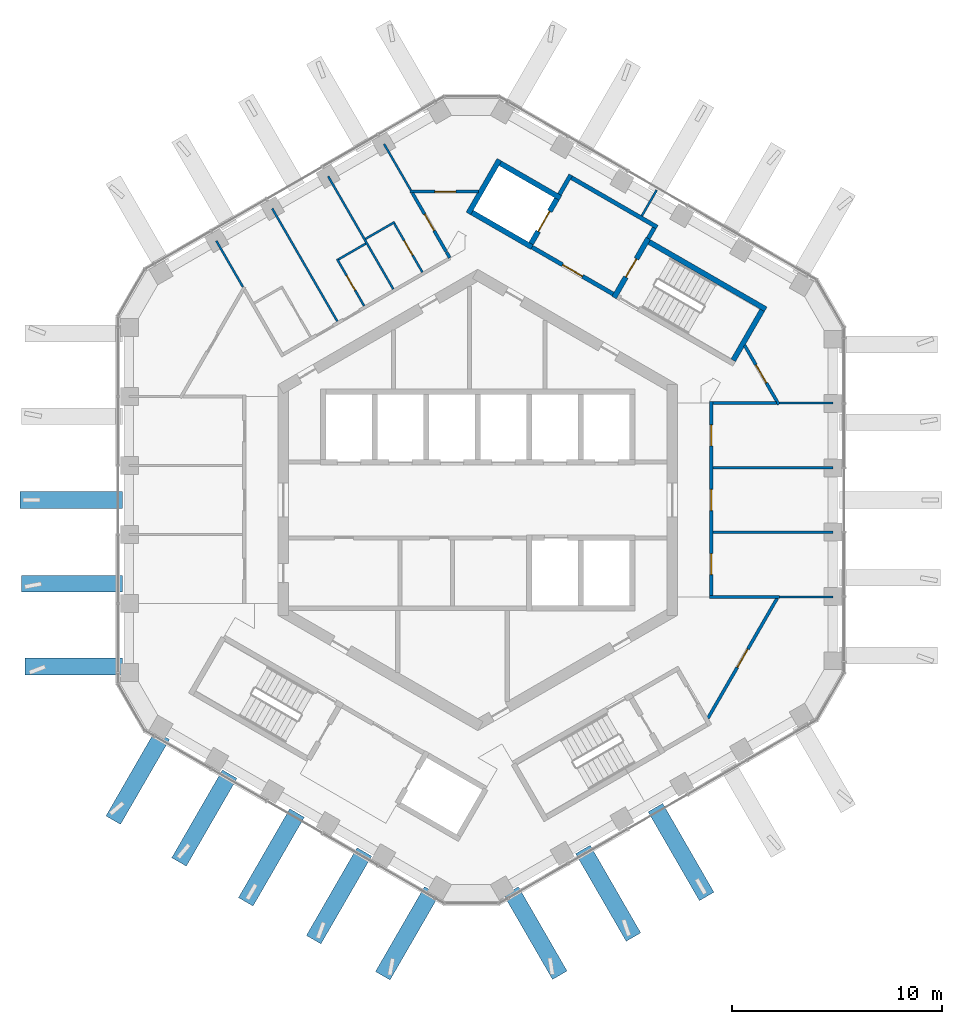
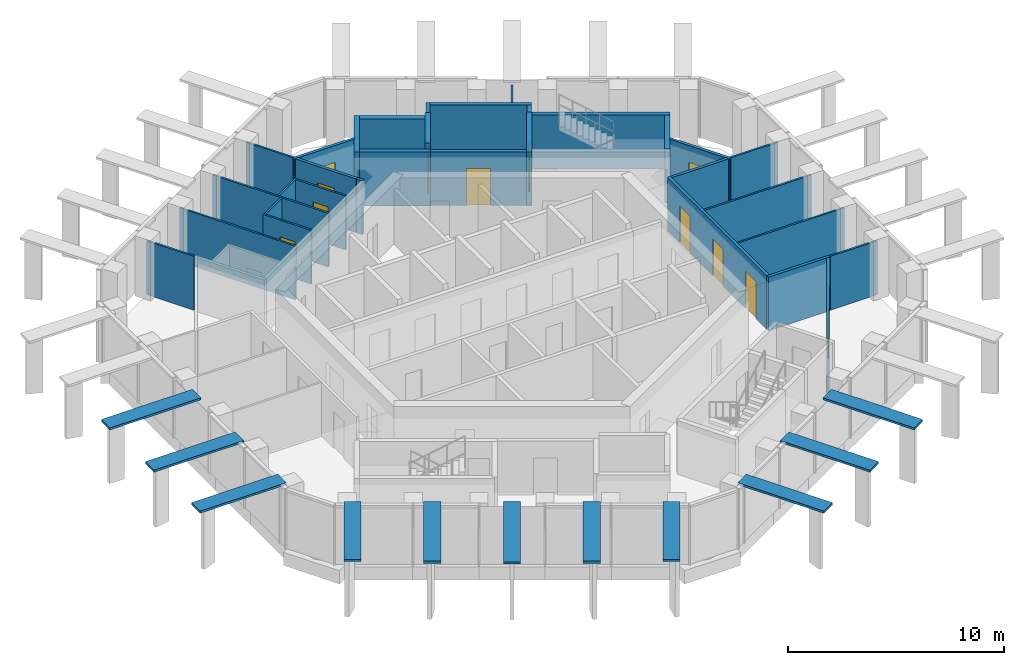
# One storey, part 13 of 19: 32 walls, 12 doors, 11 discrete accessories, 12 openings.
"""IFC4 building model written with IfcOpenShell, lengths in metres."""

from ifc_helpers import new_model, si_unit, direction, frame, frame_2d, origin, origin_2d, place, context, subcontext, project, spatial, rectangle, extrude, material, layer, layer_set, type_object, element, fill, save


model = new_model("IFC4")

# Units and contexts
model_context = context("Model", 3, precision=1e-05, world=origin(), true_north=direction((0.0, 1.0)))
body_context = subcontext(model_context, "Body", "Model", "MODEL_VIEW")
ifc_project = project(units=[si_unit("LENGTHUNIT", "METRE"), si_unit("AREAUNIT", "SQUARE_METRE"), si_unit("VOLUMEUNIT", "CUBIC_METRE"), si_unit("PLANEANGLEUNIT", "RADIAN"), si_unit("MASSUNIT", "GRAM", prefix="KILO")], contexts=[model_context])

# Site, building, storey
site_placement = place(None, origin())
site = spatial("IfcSite", under=ifc_project, at=site_placement, CompositionType="ELEMENT")
building_placement = place(site_placement, origin())
building = spatial("IfcBuilding", under=site, at=building_placement, Name="Ayvan Gate Tower", CompositionType="ELEMENT")
storey_placement = place(building_placement, frame((0.0, 0.0, 235.89990234375)))
storey = spatial("IfcBuildingStorey", under=building, at=storey_placement, Name="L63", CompositionType="ELEMENT", Elevation=235.89990234375)

# Wall, opening, door
ifc_material_1 = material(Name="Plasterboard on steel stud", Category="steel")
ifc_layer_1 = layer(ifc_material_1, 0.14990234375)
ifc_layer_set_1 = layer_set([ifc_layer_1], Name="Plasterboard on steel stud")
wall_type_1 = type_object("IfcWallType", Name="WT-CORR-150", PredefinedType="PARTITIONING", material=ifc_layer_set_1)
wall_1_placement = place(storey_placement, frame((-3.22412109375, 14.66455078125, 0.0), z_axis=(0.0, 0.0, 1.0), x_axis=(1.0, 0.0, 0.0)))
wall_1 = element("IfcWall", 1, at=wall_1_placement, inside=storey, type_object=wall_type_1, Name="IW-L63-032", PredefinedType="PARTITIONING", context=body_context, shape_type="SweptSolid", body=[
    extrude(rectangle(XDim=3.251953125, YDim=0.14990234375, at=frame_2d((1.6259765625, 0.0))), origin(), (0.0, 0.0, 1.0), 3.050048828125),
])
opening_1_placement = place(wall_1_placement, frame((1.1806640625, 0.0, 0.0)))
opening_1 = element("IfcOpeningElement", 2, at=opening_1_placement, cuts=wall_1, Name="Opening L63-D26", PredefinedType="OPENING", context=body_context, shape_type="SweptSolid", body=[
    extrude(rectangle(XDim=1.0, YDim=2.10009765625, at=frame_2d((0.5, 1.050048828125))), frame((0.0, 0.0849609375, 0.0), z_axis=(0.0, -1.0, 0.0), x_axis=(1.0, 0.0, 0.0)), (0.0, 0.0, 1.0), 0.169921875),
])
ifc_material_2 = material(Name="Timber door leaf", Category="wood")
door_type_1 = type_object("IfcDoorType", Name="DT-1000", OperationType="NOTDEFINED", PredefinedType="DOOR", material=ifc_material_2)
door_1_placement = place(opening_1_placement, origin())
door_1 = element("IfcDoor", 3, at=door_1_placement, inside=storey, type_object=door_type_1, Name="ID-L63-026", OperationType="SINGLE_SWING_LEFT", OverallHeight=2.10009765625, OverallWidth=1.0, PredefinedType="DOOR", context=body_context, shape_type="SweptSolid", body=[
    extrude(rectangle(XDim=1.0, YDim=2.10009765625, at=frame_2d((0.5, 1.050048828125))), frame((0.0, 0.02490234375, 0.0), z_axis=(0.0, -1.0, 0.0), x_axis=(1.0, 0.0, 0.0)), (0.0, 0.0, 1.0), 0.050048828125),
])
fill(opening_1, door_1)

wall_2_placement = place(storey_placement, frame((-1.498046875, 11.80517578125, 0.0), z_axis=(0.0, 0.0, 1.0), x_axis=(-0.500036816765, 0.866004146572, 0.0)))
wall_2 = element("IfcWall", 4, at=wall_2_placement, inside=storey, type_object=wall_type_1, Name="IW-L63-037", PredefinedType="PARTITIONING", context=body_context, shape_type="SweptSolid", body=[
    extrude(rectangle(XDim=3.226806640625, YDim=0.14990234375, at=frame_2d((1.61328125, 0.0))), origin(), (0.0, 0.0, 1.0), 3.050048828125),
])
opening_2_placement = place(wall_2_placement, frame((1.163330078125, 0.0, 0.0)))
opening_2 = element("IfcOpeningElement", 5, at=opening_2_placement, cuts=wall_2, Name="Opening L63-D32", PredefinedType="OPENING", context=body_context, shape_type="SweptSolid", body=[
    extrude(rectangle(XDim=0.89990234375, YDim=2.10009765625, at=frame_2d((0.449951171875, 1.050048828125))), frame((0.0, 0.0849609375, 0.0), z_axis=(0.0, -1.0, 0.0), x_axis=(1.0, 0.0, 0.0)), (0.0, 0.0, 1.0), 0.169921875),
])
door_type_2 = type_object("IfcDoorType", Name="DT-900", OperationType="NOTDEFINED", PredefinedType="DOOR", material=ifc_material_2)
door_2_placement = place(opening_2_placement, origin())
door_2 = element("IfcDoor", 6, at=door_2_placement, inside=storey, type_object=door_type_2, Name="ID-L63-032", OperationType="SINGLE_SWING_LEFT", OverallHeight=2.10009765625, OverallWidth=0.89990234375, PredefinedType="DOOR", context=body_context, shape_type="SweptSolid", body=[
    extrude(rectangle(XDim=0.89990234375, YDim=2.10009765625, at=frame_2d((0.449951171875, 1.050048828125))), frame((0.0, 0.02490234375, 0.0), z_axis=(0.0, -1.0, 0.0), x_axis=(1.0, 0.0, 0.0)), (0.0, 0.0, 1.0), 0.050048828125),
])
fill(opening_2, door_2)

# Walls
wall_3_placement = place(storey_placement, frame((-1.488037109375, 11.787841796875, 0.0), z_axis=(0.0, 0.0, 1.0), x_axis=(0.499835134068, -0.866120568253, 0.0)))
element("IfcWall", 7, at=wall_3_placement, inside=storey, type_object=wall_type_1, Name="IW-L63-038", PredefinedType="PARTITIONING", context=body_context, shape_type="SweptSolid", body=[
    extrude(rectangle(XDim=0.3125, YDim=0.14990234375, at=frame_2d((0.15625, 0.0))), origin(), (0.0, 0.0, 1.0), 3.050048828125),
])
wall_4_placement = place(storey_placement, frame((11.02490234375, -4.605224609375, 0.0), z_axis=(0.0, 0.0, 1.0), x_axis=(1.0, 0.0, 0.0)))
element("IfcWall", 8, at=wall_4_placement, inside=storey, type_object=wall_type_1, Name="IW-L63-075", PredefinedType="PARTITIONING", context=body_context, shape_type="SweptSolid", body=[
    extrude(rectangle(XDim=3.324462890625, YDim=0.14990234375, at=frame_2d((1.662109375, 0.0))), origin(), (0.0, 0.0, 1.0), 3.050048828125),
])

# Wall, openings, doors
wall_5_placement = place(storey_placement, frame((11.10009765625, -4.5302734375, 0.0), z_axis=(0.0, 0.0, 1.0), x_axis=(0.0, 1.0, 0.0)))
wall_5 = element("IfcWall", 9, at=wall_5_placement, inside=storey, type_object=wall_type_1, Name="IW-L63-077", PredefinedType="PARTITIONING", context=body_context, shape_type="SweptSolid", body=[
    extrude(rectangle(XDim=9.21044921875, YDim=0.14990234375, at=frame_2d((4.605224609375, 0.0))), origin(), (0.0, 0.0, 1.0), 3.050048828125),
])
opening_3_placement = place(wall_5_placement, frame((0.982666015625, 0.0, 0.0)))
opening_3 = element("IfcOpeningElement", 10, at=opening_3_placement, cuts=wall_5, Name="Opening L63-D22", PredefinedType="OPENING", context=body_context, shape_type="SweptSolid", body=[
    extrude(rectangle(XDim=1.0, YDim=2.10009765625, at=frame_2d((0.5, 1.050048828125))), frame((0.0, 0.0849609375, 0.0), z_axis=(0.0, -1.0, 0.0), x_axis=(1.0, 0.0, 0.0)), (0.0, 0.0, 1.0), 0.169921875),
])
opening_4_placement = place(wall_5_placement, frame((4.0302734375, 0.0, 0.0)))
opening_4 = element("IfcOpeningElement", 11, at=opening_4_placement, cuts=wall_5, Name="Opening L63-D23", PredefinedType="OPENING", context=body_context, shape_type="SweptSolid", body=[
    extrude(rectangle(XDim=1.0, YDim=2.10009765625, at=frame_2d((0.5, 1.050048828125))), frame((0.0, 0.0849609375, 0.0), z_axis=(0.0, -1.0, 0.0), x_axis=(1.0, 0.0, 0.0)), (0.0, 0.0, 1.0), 0.169921875),
])
opening_5_placement = place(wall_5_placement, frame((7.100341796875, 0.0, 0.0)))
opening_5 = element("IfcOpeningElement", 12, at=opening_5_placement, cuts=wall_5, Name="Opening L63-D24", PredefinedType="OPENING", context=body_context, shape_type="SweptSolid", body=[
    extrude(rectangle(XDim=1.0, YDim=2.10009765625, at=frame_2d((0.5, 1.050048828125))), frame((0.0, 0.0849609375, 0.0), z_axis=(0.0, -1.0, 0.0), x_axis=(1.0, 0.0, 0.0)), (0.0, 0.0, 1.0), 0.169921875),
])
door_3_placement = place(opening_3_placement, origin())
door_3 = element("IfcDoor", 13, at=door_3_placement, inside=storey, type_object=door_type_1, Name="ID-L63-022", OperationType="SINGLE_SWING_LEFT", OverallHeight=2.10009765625, OverallWidth=1.0, PredefinedType="DOOR", context=body_context, shape_type="SweptSolid", body=[
    extrude(rectangle(XDim=1.0, YDim=2.10009765625, at=frame_2d((0.5, 1.050048828125))), frame((0.0, 0.02490234375, 0.0), z_axis=(0.0, -1.0, 0.0), x_axis=(1.0, 0.0, 0.0)), (0.0, 0.0, 1.0), 0.050048828125),
])
fill(opening_3, door_3)
door_4_placement = place(opening_4_placement, origin())
door_4 = element("IfcDoor", 14, at=door_4_placement, inside=storey, type_object=door_type_1, Name="ID-L63-023", OperationType="SINGLE_SWING_RIGHT", OverallHeight=2.10009765625, OverallWidth=1.0, PredefinedType="DOOR", context=body_context, shape_type="SweptSolid", body=[
    extrude(rectangle(XDim=1.0, YDim=2.10009765625, at=frame_2d((0.5, 1.050048828125))), frame((0.0, 0.02490234375, 0.0), z_axis=(0.0, -1.0, 0.0), x_axis=(1.0, 0.0, 0.0)), (0.0, 0.0, 1.0), 0.050048828125),
])
fill(opening_4, door_4)
door_5_placement = place(opening_5_placement, origin())
door_5 = element("IfcDoor", 15, at=door_5_placement, inside=storey, type_object=door_type_1, Name="ID-L63-024", OperationType="SINGLE_SWING_LEFT", OverallHeight=2.10009765625, OverallWidth=1.0, PredefinedType="DOOR", context=body_context, shape_type="SweptSolid", body=[
    extrude(rectangle(XDim=1.0, YDim=2.10009765625, at=frame_2d((0.5, 1.050048828125))), frame((0.0, 0.02490234375, 0.0), z_axis=(0.0, -1.0, 0.0), x_axis=(1.0, 0.0, 0.0)), (0.0, 0.0, 1.0), 0.050048828125),
])
fill(opening_5, door_5)

# Wall, opening, door
wall_6_placement = place(storey_placement, frame((12.68603515625, 7.356201171875, 0.0), z_axis=(0.0, 0.0, 1.0), x_axis=(0.500047413384, -0.865998027924, 0.0)))
wall_6 = element("IfcWall", 16, at=wall_6_placement, inside=storey, type_object=wall_type_1, Name="IW-L63-080", PredefinedType="PARTITIONING", context=body_context, shape_type="SweptSolid", body=[
    extrude(rectangle(XDim=3.251708984375, YDim=0.14990234375, at=frame_2d((1.6259765625, 0.0))), origin(), (0.0, 0.0, 1.0), 3.050048828125),
])
opening_6_placement = place(wall_6_placement, frame((1.071044921875, 0.0, 0.0)))
opening_6 = element("IfcOpeningElement", 17, at=opening_6_placement, cuts=wall_6, Name="Opening L63-D25", PredefinedType="OPENING", context=body_context, shape_type="SweptSolid", body=[
    extrude(rectangle(XDim=1.0, YDim=2.10009765625, at=frame_2d((0.5, 1.050048828125))), frame((0.0, 0.0849609375, 0.0), z_axis=(0.0, -1.0, 0.0), x_axis=(1.0, 0.0, 0.0)), (0.0, 0.0, 1.0), 0.169921875),
])
door_6_placement = place(opening_6_placement, origin())
door_6 = element("IfcDoor", 18, at=door_6_placement, inside=storey, type_object=door_type_1, Name="ID-L63-025", OperationType="SINGLE_SWING_RIGHT", OverallHeight=2.10009765625, OverallWidth=1.0, PredefinedType="DOOR", context=body_context, shape_type="SweptSolid", body=[
    extrude(rectangle(XDim=1.0, YDim=2.10009765625, at=frame_2d((0.5, 1.050048828125))), frame((0.0, 0.02490234375, 0.0), z_axis=(0.0, -1.0, 0.0), x_axis=(1.0, 0.0, 0.0)), (0.0, 0.0, 1.0), 0.050048828125),
])
fill(opening_6, door_6)

# Wall
wall_7_placement = place(storey_placement, frame((14.199462890625, 4.605224609375, 0.0), z_axis=(0.0, 0.0, 1.0), x_axis=(-1.0, 0.0, 0.0)))
element("IfcWall", 19, at=wall_7_placement, inside=storey, type_object=wall_type_1, Name="IW-L63-082", PredefinedType="PARTITIONING", context=body_context, shape_type="SweptSolid", body=[
    extrude(rectangle(XDim=3.024658203125, YDim=0.14990234375, at=frame_2d((1.51220703125, 0.0))), origin(), (0.0, 0.0, 1.0), 3.050048828125),
])

# Wall, opening, door
wall_8_placement = place(storey_placement, frame((14.23681640625, -4.670166015625, 0.0), z_axis=(0.0, 0.0, 1.0), x_axis=(-0.500003557676, -0.866023349749, 0.0)))
wall_8 = element("IfcWall", 20, at=wall_8_placement, inside=storey, type_object=wall_type_1, Name="IW-L63-084", PredefinedType="PARTITIONING", context=body_context, shape_type="SweptSolid", body=[
    extrude(rectangle(XDim=6.5908203125, YDim=0.14990234375, at=frame_2d((3.29541015625, 0.0))), origin(), (0.0, 0.0, 1.0), 3.050048828125),
])
opening_7_placement = place(wall_8_placement, frame((2.79541015625, 0.0, 0.0)))
opening_7 = element("IfcOpeningElement", 21, at=opening_7_placement, cuts=wall_8, Name="Opening L63-D31", PredefinedType="OPENING", context=body_context, shape_type="SweptSolid", body=[
    extrude(rectangle(XDim=1.0, YDim=2.10009765625, at=frame_2d((0.5, 1.050048828125))), frame((0.0, 0.0849609375, 0.0), z_axis=(0.0, -1.0, 0.0), x_axis=(1.0, 0.0, 0.0)), (0.0, 0.0, 1.0), 0.169921875),
])
door_7_placement = place(opening_7_placement, origin())
door_7 = element("IfcDoor", 22, at=door_7_placement, inside=storey, type_object=door_type_1, Name="ID-L63-031", OperationType="SINGLE_SWING_RIGHT", OverallHeight=2.10009765625, OverallWidth=1.0, PredefinedType="DOOR", context=body_context, shape_type="SweptSolid", body=[
    extrude(rectangle(XDim=1.0, YDim=2.10009765625, at=frame_2d((0.5, 1.050048828125))), frame((0.0, 0.02490234375, 0.0), z_axis=(0.0, -1.0, 0.0), x_axis=(1.0, 0.0, 0.0)), (0.0, 0.0, 1.0), 0.050048828125),
])
fill(opening_7, door_7)

# Wall
ifc_layer_2 = layer(ifc_material_1, 0.10009765625)
ifc_layer_set_2 = layer_set([ifc_layer_2], Name="Plasterboard on steel stud")
wall_type_2 = type_object("IfcWallType", Name="WT-PART-100", PredefinedType="PARTITIONING", material=ifc_layer_set_2)
wall_9_placement = place(storey_placement, frame((-12.431884765625, 12.322509765625, 0.0), z_axis=(0.0, 0.0, 1.0), x_axis=(0.499966684436, -0.86604463768, 0.0)))
element("IfcWall", 23, at=wall_9_placement, inside=storey, type_object=wall_type_2, Name="IW-L63-003", PredefinedType="PARTITIONING", context=body_context, shape_type="SweptSolid", body=[
    extrude(rectangle(XDim=2.538330078125, YDim=0.10009765625, at=frame_2d((1.26904296875, 0.0))), origin(), (0.0, 0.0, 1.0), 3.050048828125),
])

# Wall, opening, door
wall_10_placement = place(storey_placement, frame((-6.691162109375, 11.459716796875, 0.0), z_axis=(0.0, 0.0, 1.0), x_axis=(0.499963209246, -0.866046643894, 0.0)))
wall_10 = element("IfcWall", 24, at=wall_10_placement, inside=storey, type_object=wall_type_2, Name="IW-L63-019", PredefinedType="PARTITIONING", context=body_context, shape_type="SweptSolid", body=[
    extrude(rectangle(XDim=2.574951171875, YDim=0.10009765625, at=frame_2d((1.28759765625, 0.0))), origin(), (0.0, 0.0, 1.0), 3.050048828125),
])
opening_8_placement = place(wall_10_placement, frame((0.91259765625, 0.0, 0.0)))
opening_8 = element("IfcOpeningElement", 25, at=opening_8_placement, cuts=wall_10, Name="Opening L63-D35", PredefinedType="OPENING", context=body_context, shape_type="SweptSolid", body=[
    extrude(rectangle(XDim=0.800048828125, YDim=2.10009765625, at=frame_2d((0.39990234375, 1.050048828125))), frame((0.0, 0.06005859375, 0.0), z_axis=(0.0, -1.0, 0.0), x_axis=(1.0, 0.0, 0.0)), (0.0, 0.0, 1.0), 0.1201171875),
])
door_type_3 = type_object("IfcDoorType", Name="DT-800", OperationType="NOTDEFINED", PredefinedType="DOOR", material=ifc_material_2)
door_8_placement = place(opening_8_placement, origin())
door_8 = element("IfcDoor", 26, at=door_8_placement, inside=storey, type_object=door_type_3, Name="ID-L63-035", OperationType="SINGLE_SWING_RIGHT", OverallHeight=2.10009765625, OverallWidth=0.800048828125, PredefinedType="DOOR", context=body_context, shape_type="SweptSolid", body=[
    extrude(rectangle(XDim=0.800048828125, YDim=2.10009765625, at=frame_2d((0.39990234375, 1.050048828125))), frame((0.0, 0.02490234375, 0.0), z_axis=(0.0, -1.0, 0.0), x_axis=(1.0, 0.0, 0.0)), (0.0, 0.0, 1.0), 0.050048828125),
])
fill(opening_8, door_8)

# Walls
for number, where, z_axis, x_axis, name in (
    (27, (-6.677001953125, 8.49462890625, 0.0), (0.0, 0.0, 1.0), (-0.499997752344, 0.866026701465, 0.0), "IW-L63-020"),
    (28, (-7.1142578125, 15.392578125, 0.0), (0.0, 0.0, 1.0), (0.499997752344, -0.866026701465, 0.0), "IW-L63-023"),
):
    element("IfcWall", number, at=place(storey_placement, frame(where, z_axis=z_axis, x_axis=x_axis)), inside=storey, type_object=wall_type_2, Name=name, PredefinedType="PARTITIONING", context=body_context, shape_type="SweptSolid", body=[
        extrude(rectangle(XDim=6.1923828125, YDim=0.10009765625, at=frame_2d((3.09619140625, 0.0))), origin(), (0.0, 0.0, 1.0), 3.050048828125),
    ])
wall_11_placement = place(storey_placement, frame((-5.323974609375, 12.19140625, 0.0), z_axis=(0.0, 0.0, 1.0), x_axis=(-0.86599040064, -0.500060622324, 0.0)))
element("IfcWall", 29, at=wall_11_placement, inside=storey, type_object=wall_type_2, Name="IW-L63-024", PredefinedType="PARTITIONING", context=body_context, shape_type="SweptSolid", body=[
    extrude(rectangle(XDim=1.499755859375, YDim=0.10009765625, at=frame_2d((0.75, 0.0))), origin(), (0.0, 0.0, 1.0), 3.050048828125),
])
wall_12_placement = place(storey_placement, frame((-3.95166015625, 13.214599609375, 0.0), z_axis=(0.0, 0.0, 1.0), x_axis=(-0.866028054938, -0.499995408039, 0.0)))
element("IfcWall", 30, at=wall_12_placement, inside=storey, type_object=wall_type_2, Name="IW-L63-027", PredefinedType="PARTITIONING", context=body_context, shape_type="SweptSolid", body=[
    extrude(rectangle(XDim=1.60009765625, YDim=0.10009765625, at=frame_2d((0.800048828125, 0.0))), origin(), (0.0, 0.0, 1.0), 3.050048828125),
])
wall_13_placement = place(storey_placement, frame((-3.1865234375, 14.7294921875, 0.0), z_axis=(0.0, 0.0, 1.0), x_axis=(-0.500008334558, 0.866020591771, 0.0)))
element("IfcWall", 31, at=wall_13_placement, inside=storey, type_object=wall_type_2, Name="IW-L63-031", PredefinedType="PARTITIONING", context=body_context, shape_type="SweptSolid", body=[
    extrude(rectangle(XDim=2.5380859375, YDim=0.10009765625, at=frame_2d((1.26904296875, 0.0))), origin(), (0.0, 0.0, 1.0), 3.050048828125),
])

# Wall, opening, door
wall_14_placement = place(storey_placement, frame((-2.632568359375, 10.82958984375, 0.0), z_axis=(0.0, 0.0, 1.0), x_axis=(-0.499967368674, 0.86604424267, 0.0)))
wall_14 = element("IfcWall", 32, at=wall_14_placement, inside=storey, type_object=wall_type_2, Name="IW-L63-033", PredefinedType="PARTITIONING", context=body_context, shape_type="SweptSolid", body=[
    extrude(rectangle(XDim=2.675048828125, YDim=0.10009765625, at=frame_2d((1.33740234375, 0.0))), origin(), (0.0, 0.0, 1.0), 3.050048828125),
])
opening_9_placement = place(wall_14_placement, frame((0.9375, 0.0, 0.0)))
opening_9 = element("IfcOpeningElement", 33, at=opening_9_placement, cuts=wall_14, Name="Opening L63-D33", PredefinedType="OPENING", context=body_context, shape_type="SweptSolid", body=[
    extrude(rectangle(XDim=0.800048828125, YDim=2.10009765625, at=frame_2d((0.39990234375, 1.050048828125))), frame((0.0, 0.06005859375, 0.0), z_axis=(0.0, -1.0, 0.0), x_axis=(1.0, 0.0, 0.0)), (0.0, 0.0, 1.0), 0.1201171875),
])
door_9_placement = place(opening_9_placement, origin())
door_9 = element("IfcDoor", 34, at=door_9_placement, inside=storey, type_object=door_type_3, Name="ID-L63-033", OperationType="SINGLE_SWING_RIGHT", OverallHeight=2.10009765625, OverallWidth=0.800048828125, PredefinedType="DOOR", context=body_context, shape_type="SweptSolid", body=[
    extrude(rectangle(XDim=0.800048828125, YDim=2.10009765625, at=frame_2d((0.39990234375, 1.050048828125))), frame((0.0, 0.02490234375, 0.0), z_axis=(0.0, -1.0, 0.0), x_axis=(1.0, 0.0, 0.0)), (0.0, 0.0, 1.0), 0.050048828125),
])
fill(opening_9, door_9)

# Walls
wall_15_placement = place(storey_placement, frame((7.800048828125, 13.510009765625, 0.0), z_axis=(0.0, 0.0, 1.0), x_axis=(0.499951990857, 0.866053120102, 0.0)))
element("IfcWall", 35, at=wall_15_placement, inside=storey, type_object=wall_type_2, Name="IW-L63-068", PredefinedType="PARTITIONING", context=body_context, shape_type="SweptSolid", body=[
    extrude(rectangle(XDim=1.411865234375, YDim=0.10009765625, at=frame_2d((0.7060546875, 0.0))), origin(), (0.0, 0.0, 1.0), 3.050048828125),
])
for number, where, z_axis, x_axis, name in (
    (36, (11.175048828125, -1.53515625, 0.0), (0.0, 0.0, 1.0), (1.0, 0.0, 0.0), "IW-L63-076"),
    (37, (11.175048828125, 1.53515625, 0.0), (0.0, 0.0, 1.0), (1.0, 0.0, 0.0), "IW-L63-078"),
):
    element("IfcWall", number, at=place(storey_placement, frame(where, z_axis=z_axis, x_axis=x_axis)), inside=storey, type_object=wall_type_2, Name=name, PredefinedType="PARTITIONING", context=body_context, shape_type="SweptSolid", body=[
        extrude(rectangle(XDim=5.71240234375, YDim=0.10009765625, at=frame_2d((2.856201171875, 0.0))), origin(), (0.0, 0.0, 1.0), 3.050048828125),
    ])
for number, where, z_axis, x_axis, name in (
    (38, (14.349365234375, 4.605224609375, 0.0), (0.0, 0.0, 1.0), (1.0, 0.0, 0.0), "IW-L63-083"),
    (39, (16.887451171875, -4.605224609375, 0.0), (0.0, 0.0, 1.0), (-1.0, 0.0, 0.0), "IW-L63-085"),
):
    element("IfcWall", number, at=place(storey_placement, frame(where, z_axis=z_axis, x_axis=x_axis)), inside=storey, type_object=wall_type_2, Name=name, PredefinedType="PARTITIONING", context=body_context, shape_type="SweptSolid", body=[
        extrude(rectangle(XDim=2.5380859375, YDim=0.10009765625, at=frame_2d((1.26904296875, 0.0))), origin(), (0.0, 0.0, 1.0), 3.050048828125),
    ])
ifc_layer_3 = layer(ifc_material_1, 0.199951171875)
ifc_layer_set_3 = layer_set([ifc_layer_3], Name="Plasterboard on steel stud")
wall_type_3 = type_object("IfcWallType", Name="WT-RATED-200", PredefinedType="PARTITIONING", material=ifc_layer_set_3)
wall_16_placement = place(storey_placement, frame((3.885009765625, 14.52880859375, 0.0), z_axis=(0.0, 0.0, 1.0), x_axis=(0.499997628298, 0.866026773083, 0.0)))
element("IfcWall", 40, at=wall_16_placement, inside=storey, type_object=wall_type_3, Name="IW-L63-054", PredefinedType="PARTITIONING", context=body_context, shape_type="SweptSolid", body=[
    extrude(rectangle(XDim=1.0751953125, YDim=0.199951171875, at=frame_2d((0.53759765625, 0.0))), origin(), (0.0, 0.0, 1.0), 3.050048828125),
])
wall_17_placement = place(storey_placement, frame((4.458984375, 15.323486328125, 0.0), z_axis=(0.0, 0.0, 1.0), x_axis=(0.866016039709, -0.500016218704, 0.0)))
element("IfcWall", 41, at=wall_17_placement, inside=storey, type_object=wall_type_3, Name="IW-L63-055", PredefinedType="PARTITIONING", context=body_context, shape_type="SweptSolid", body=[
    extrude(rectangle(XDim=4.699951171875, YDim=0.199951171875, at=frame_2d((2.35009765625, 0.0))), origin(), (0.0, 0.0, 1.0), 3.050048828125),
])

# Wall, opening, door
wall_18_placement = place(storey_placement, frame((6.4345703125, 9.794921875, 0.0), z_axis=(0.0, 0.0, 1.0), x_axis=(-0.866012907634, 0.500021643343, 0.0)))
wall_18 = element("IfcWall", 42, at=wall_18_placement, inside=storey, type_object=wall_type_3, Name="IW-L63-060", PredefinedType="PARTITIONING", context=body_context, shape_type="SweptSolid", body=[
    extrude(rectangle(XDim=4.449951171875, YDim=0.199951171875, at=frame_2d((2.22509765625, 0.0))), origin(), (0.0, 0.0, 1.0), 3.050048828125),
])
opening_10_placement = place(wall_18_placement, frame((1.675048828125, 0.0, 0.0)))
opening_10 = element("IfcOpeningElement", 43, at=opening_10_placement, cuts=wall_18, Name="Opening L63-D13", PredefinedType="OPENING", context=body_context, shape_type="SweptSolid", body=[
    extrude(rectangle(XDim=1.10009765625, YDim=2.10009765625, at=frame_2d((0.550048828125, 1.050048828125))), frame((0.0, 0.10986328125, 0.0), z_axis=(0.0, -1.0, 0.0), x_axis=(1.0, 0.0, 0.0)), (0.0, 0.0, 1.0), 0.219970703125),
])
door_type_4 = type_object("IfcDoorType", Name="DT-1100", OperationType="NOTDEFINED", PredefinedType="DOOR", material=ifc_material_2)
door_10_placement = place(opening_10_placement, origin())
door_10 = element("IfcDoor", 44, at=door_10_placement, inside=storey, type_object=door_type_4, Name="ID-L63-013", OperationType="SINGLE_SWING_RIGHT", OverallHeight=2.10009765625, OverallWidth=1.10009765625, PredefinedType="DOOR", context=body_context, shape_type="SweptSolid", body=[
    extrude(rectangle(XDim=1.10009765625, YDim=2.10009765625, at=frame_2d((0.550048828125, 1.050048828125))), frame((0.0, 0.02490234375, 0.0), z_axis=(0.0, -1.0, 0.0), x_axis=(1.0, 0.0, 0.0)), (0.0, 0.0, 1.0), 0.050048828125),
])
fill(opening_10, door_10)

# Walls
wall_19_placement = place(storey_placement, frame((8.392822265625, 12.936767578125, 0.0), z_axis=(0.0, 0.0, 1.0), x_axis=(-0.500065409566, -0.86598763626, 0.0)))
element("IfcWall", 45, at=wall_19_placement, inside=storey, type_object=wall_type_3, Name="IW-L63-070", PredefinedType="PARTITIONING", context=body_context, shape_type="SweptSolid", body=[
    extrude(rectangle(XDim=0.5751953125, YDim=0.199951171875, at=frame_2d((0.28759765625, 0.0))), origin(), (0.0, 0.0, 1.0), 3.050048828125),
])
ifc_material_3 = material(Name="Concrete C50/60", Category="concrete")
ifc_layer_4 = layer(ifc_material_3, 0.25)
ifc_layer_set_4 = layer_set([ifc_layer_4], Name="Concrete C50/60")
wall_type_4 = type_object("IfcWallType", Name="WT-RC-250", PredefinedType="SHEAR", material=ifc_layer_set_4)
wall_20_placement = place(storey_placement, frame((-0.447998046875, 13.624267578125, 0.0), z_axis=(0.0, 0.0, 1.0), x_axis=(0.500037662692, 0.866003658127, 0.0)))
element("IfcWall", 46, at=wall_20_placement, inside=storey, type_object=wall_type_4, Name="IW-L63-042", PredefinedType="SHEAR", context=body_context, shape_type="SweptSolid", body=[
    extrude(rectangle(XDim=2.949951171875, YDim=0.25, at=frame_2d((1.47509765625, 0.0))), origin(), (0.0, 0.0, 1.0), 3.050048828125),
])
for number, where, z_axis, x_axis, name in (
    (47, (1.072998046875, 16.00830078125, 0.0), (0.0, 0.0, 1.0), (0.866040211805, -0.499974350878, 0.0), "IW-L63-045"),
    (48, (2.580810546875, 12.02001953125, 0.0), (0.0, 0.0, 1.0), (-0.866040211805, 0.499974350878, 0.0), "IW-L63-050"),
):
    element("IfcWall", number, at=place(storey_placement, frame(where, z_axis=z_axis, x_axis=x_axis)), inside=storey, type_object=wall_type_4, Name=name, PredefinedType="SHEAR", context=body_context, shape_type="SweptSolid", body=[
        extrude(rectangle(XDim=3.300048828125, YDim=0.25, at=frame_2d((1.64990234375, 0.0))), origin(), (0.0, 0.0, 1.0), 3.050048828125),
    ])

# Wall, opening, door
wall_21_placement = place(storey_placement, frame((2.534912109375, 12.19091796875, 0.0), z_axis=(0.0, 0.0, 1.0), x_axis=(0.500061746146, 0.865989751695, 0.0)))
wall_21 = element("IfcWall", 49, at=wall_21_placement, inside=storey, type_object=wall_type_4, Name="IW-L63-051", PredefinedType="SHEAR", context=body_context, shape_type="SweptSolid", body=[
    extrude(rectangle(XDim=2.449951171875, YDim=0.25, at=frame_2d((1.22509765625, 0.0))), origin(), (0.0, 0.0, 1.0), 3.400146484375),
])
opening_11_placement = place(wall_21_placement, frame((0.675048828125, 0.0, 0.0)))
opening_11 = element("IfcOpeningElement", 50, at=opening_11_placement, cuts=wall_21, Name="Opening L63-LD-FF1", PredefinedType="OPENING", context=body_context, shape_type="SweptSolid", body=[
    extrude(rectangle(XDim=1.10009765625, YDim=2.10009765625, at=frame_2d((0.550048828125, 1.050048828125))), frame((0.0, 0.135009765625, 0.0), z_axis=(0.0, -1.0, 0.0), x_axis=(1.0, 0.0, 0.0)), (0.0, 0.0, 1.0), 0.27001953125),
])
ifc_material_4 = material(Name="Stainless steel landing door", Category="steel")
door_type_5 = type_object("IfcDoorType", Name="DT-LANDING-1100", OperationType="SLIDING_TO_LEFT", PredefinedType="DOOR", material=ifc_material_4)
door_11_placement = place(opening_11_placement, origin())
door_11 = element("IfcDoor", 51, at=door_11_placement, inside=storey, type_object=door_type_5, Name="ID-L63-014", OperationType="SLIDING_TO_LEFT", OverallHeight=2.10009765625, OverallWidth=1.10009765625, PredefinedType="DOOR", context=body_context, shape_type="SweptSolid", body=[
    extrude(rectangle(XDim=1.10009765625, YDim=2.10009765625, at=frame_2d((0.550048828125, 1.050048828125))), frame((0.0, 0.02490234375, 0.0), z_axis=(0.0, -1.0, 0.0), x_axis=(1.0, 0.0, 0.0)), (0.0, 0.0, 1.0), 0.050048828125),
])
fill(opening_11, door_11)

wall_22_placement = place(storey_placement, frame((6.480224609375, 9.624267578125, 0.0), z_axis=(0.0, 0.0, 1.0), x_axis=(0.500017246033, 0.866015446554, 0.0)))
wall_22 = element("IfcWall", 52, at=wall_22_placement, inside=storey, type_object=wall_type_4, Name="IW-L63-061", PredefinedType="SHEAR", context=body_context, shape_type="SweptSolid", body=[
    extrude(rectangle(XDim=3.25, YDim=0.25, at=frame_2d((1.625, 0.0))), origin(), (0.0, 0.0, 1.0), 3.050048828125),
])
opening_12_placement = place(wall_22_placement, frame((1.125, 0.0, 0.0)))
opening_12 = element("IfcOpeningElement", 53, at=opening_12_placement, cuts=wall_22, Name="Opening L63-D12", PredefinedType="OPENING", context=body_context, shape_type="SweptSolid", body=[
    extrude(rectangle(XDim=1.0, YDim=2.10009765625, at=frame_2d((0.5, 1.050048828125))), frame((0.0, 0.135009765625, 0.0), z_axis=(0.0, -1.0, 0.0), x_axis=(1.0, 0.0, 0.0)), (0.0, 0.0, 1.0), 0.27001953125),
])
door_12_placement = place(opening_12_placement, origin())
door_12 = element("IfcDoor", 54, at=door_12_placement, inside=storey, type_object=door_type_1, Name="ID-L63-012", OperationType="SINGLE_SWING_LEFT", OverallHeight=2.10009765625, OverallWidth=1.0, PredefinedType="DOOR", context=body_context, shape_type="SweptSolid", body=[
    extrude(rectangle(XDim=1.0, YDim=2.10009765625, at=frame_2d((0.5, 1.050048828125))), frame((0.0, 0.02490234375, 0.0), z_axis=(0.0, -1.0, 0.0), x_axis=(1.0, 0.0, 0.0)), (0.0, 0.0, 1.0), 0.050048828125),
])
fill(opening_12, door_12)

# Walls
wall_23_placement = place(storey_placement, frame((8.151123046875, 12.26806640625, 0.0), z_axis=(0.0, 0.0, 1.0), x_axis=(0.866025499775, -0.499999833739, 0.0)))
element("IfcWall", 55, at=wall_23_placement, inside=storey, type_object=wall_type_4, Name="IW-L63-069", PredefinedType="SHEAR", context=body_context, shape_type="SweptSolid", body=[
    extrude(rectangle(XDim=6.39990234375, YDim=0.25, at=frame_2d((3.199951171875, 0.0))), origin(), (0.0, 0.0, 1.0), 3.050048828125),
])
wall_24_placement = place(storey_placement, frame((12.14794921875, 6.640869140625, 0.0), z_axis=(0.0, 0.0, 1.0), x_axis=(0.500034990121, 0.866005201286, 0.0)))
element("IfcWall", 56, at=wall_24_placement, inside=storey, type_object=wall_type_4, Name="IW-L63-081", PredefinedType="SHEAR", context=body_context, shape_type="SweptSolid", body=[
    extrude(rectangle(XDim=2.749755859375, YDim=0.25, at=frame_2d((1.375, 0.0))), origin(), (0.0, 0.0, 1.0), 3.050048828125),
])

# Discrete accessories
ifc_material_5 = material(Name="Stainless steel 316", Category="steel")
ifc_layer_5 = layer(ifc_material_5, 0.1201171875)
ifc_layer_set_5 = layer_set([ifc_layer_5], Name="Stainless steel 316")
discrete_accessory_type = type_object("IfcDiscreteAccessoryType", Name="Fin carrier bracket", PredefinedType="BRACKET", material=ifc_layer_set_5)
discrete_accessory_1_placement = place(storey_placement, frame((-19.20458984375, -7.920654296875, 3.280029296875), z_axis=(0.0, 0.0, 1.0), x_axis=(0.0, -1.0, 0.0)))
element("IfcDiscreteAccessory", 57, at=discrete_accessory_1_placement, inside=storey, type_object=discrete_accessory_type, Name="Fin carrier 151", PredefinedType="BRACKET", context=body_context, shape_type="SweptSolid", body=[
    extrude(rectangle(XDim=0.800048828125, YDim=4.627685546875, at=origin_2d()), origin(), (0.0, 0.0, 1.0), 0.1201171875),
])
discrete_accessory_2_placement = place(storey_placement, frame((-19.295166015625, -3.9794921875, 3.280029296875), z_axis=(0.0, 0.0, 1.0), x_axis=(0.0, -1.0, 0.0)))
element("IfcDiscreteAccessory", 58, at=discrete_accessory_2_placement, inside=storey, type_object=discrete_accessory_type, Name="Fin carrier 159", PredefinedType="BRACKET", context=body_context, shape_type="SweptSolid", body=[
    extrude(rectangle(XDim=0.800048828125, YDim=4.80859375, at=origin_2d()), origin(), (0.0, 0.0, 1.0), 0.1201171875),
])
discrete_accessory_3_placement = place(storey_placement, frame((-19.328125, -0.000244140625, 3.280029296875), z_axis=(0.0, 0.0, 1.0), x_axis=(0.0, -1.0, 0.0)))
element("IfcDiscreteAccessory", 59, at=discrete_accessory_3_placement, inside=storey, type_object=discrete_accessory_type, Name="Fin carrier 168", PredefinedType="BRACKET", context=body_context, shape_type="SweptSolid", body=[
    extrude(rectangle(XDim=0.800048828125, YDim=4.875, at=origin_2d()), origin(), (0.0, 0.0, 1.0), 0.1201171875),
])
discrete_accessory_4_placement = place(storey_placement, frame((-16.167236328125, -13.204345703125, 3.280029296875), z_axis=(0.0, 0.0, 1.0), x_axis=(0.866025403784, -0.5, 0.0)))
element("IfcDiscreteAccessory", 60, at=discrete_accessory_4_placement, inside=storey, type_object=discrete_accessory_type, Name="Fin carrier 229", PredefinedType="BRACKET", context=body_context, shape_type="SweptSolid", body=[
    extrude(rectangle(XDim=0.800048828125, YDim=4.662841796875, at=origin_2d()), origin(), (0.0, 0.0, 1.0), 0.1201171875),
])
discrete_accessory_5_placement = place(storey_placement, frame((-12.99951171875, -15.12353515625, 3.280029296875), z_axis=(0.0, 0.0, 1.0), x_axis=(0.866025403784, -0.5, 0.0)))
element("IfcDiscreteAccessory", 61, at=discrete_accessory_5_placement, inside=storey, type_object=discrete_accessory_type, Name="Fin carrier 294", PredefinedType="BRACKET", context=body_context, shape_type="SweptSolid", body=[
    extrude(rectangle(XDim=0.800048828125, YDim=4.819091796875, at=origin_2d()), origin(), (0.0, 0.0, 1.0), 0.1201171875),
])
discrete_accessory_6_placement = place(storey_placement, frame((-9.8125, -16.995849609375, 3.280029296875), z_axis=(0.0, 0.0, 1.0), x_axis=(0.866025403784, -0.5, 0.0)))
element("IfcDiscreteAccessory", 62, at=discrete_accessory_6_placement, inside=storey, type_object=discrete_accessory_type, Name="Fin carrier 358", PredefinedType="BRACKET", context=body_context, shape_type="SweptSolid", body=[
    extrude(rectangle(XDim=0.800048828125, YDim=4.875, at=origin_2d()), origin(), (0.0, 0.0, 1.0), 0.1201171875),
])
discrete_accessory_7_placement = place(storey_placement, frame((-6.597412109375, -18.81982421875, 3.280029296875), z_axis=(0.0, 0.0, 1.0), x_axis=(0.866025403784, -0.5, 0.0)))
element("IfcDiscreteAccessory", 63, at=discrete_accessory_7_placement, inside=storey, type_object=discrete_accessory_type, Name="Fin carrier 422", PredefinedType="BRACKET", context=body_context, shape_type="SweptSolid", body=[
    extrude(rectangle(XDim=0.800048828125, YDim=4.819091796875, at=origin_2d()), origin(), (0.0, 0.0, 1.0), 0.1201171875),
])
discrete_accessory_8_placement = place(storey_placement, frame((-3.3515625, -20.603515625, 3.280029296875), z_axis=(0.0, 0.0, 1.0), x_axis=(0.866025403784, -0.5, 0.0)))
element("IfcDiscreteAccessory", 64, at=discrete_accessory_8_placement, inside=storey, type_object=discrete_accessory_type, Name="Fin carrier 484", PredefinedType="BRACKET", context=body_context, shape_type="SweptSolid", body=[
    extrude(rectangle(XDim=0.800048828125, YDim=4.662841796875, at=origin_2d()), origin(), (0.0, 0.0, 1.0), 0.1201171875),
])
discrete_accessory_9_placement = place(storey_placement, frame((2.742919921875, -20.592041015625, 3.280029296875), z_axis=(0.0, 0.0, 1.0), x_axis=(0.866025403784, 0.5, 0.0)))
element("IfcDiscreteAccessory", 65, at=discrete_accessory_9_placement, inside=storey, type_object=discrete_accessory_type, Name="Fin carrier 542", PredefinedType="BRACKET", context=body_context, shape_type="SweptSolid", body=[
    extrude(rectangle(XDim=0.800048828125, YDim=4.627685546875, at=origin_2d()), origin(), (0.0, 0.0, 1.0), 0.1201171875),
])
discrete_accessory_10_placement = place(storey_placement, frame((6.201416015625, -18.69970703125, 3.280029296875), z_axis=(0.0, 0.0, 1.0), x_axis=(0.866025403784, 0.5, 0.0)))
element("IfcDiscreteAccessory", 66, at=discrete_accessory_10_placement, inside=storey, type_object=discrete_accessory_type, Name="Fin carrier 602", PredefinedType="BRACKET", context=body_context, shape_type="SweptSolid", body=[
    extrude(rectangle(XDim=0.800048828125, YDim=4.80859375, at=origin_2d()), origin(), (0.0, 0.0, 1.0), 0.1201171875),
])
discrete_accessory_11_placement = place(storey_placement, frame((9.664306640625, -16.73876953125, 3.280029296875), z_axis=(0.0, 0.0, 1.0), x_axis=(0.866025403784, 0.5, 0.0)))
element("IfcDiscreteAccessory", 67, at=discrete_accessory_11_placement, inside=storey, type_object=discrete_accessory_type, Name="Fin carrier 664", PredefinedType="BRACKET", context=body_context, shape_type="SweptSolid", body=[
    extrude(rectangle(XDim=0.800048828125, YDim=4.875, at=origin_2d()), origin(), (0.0, 0.0, 1.0), 0.1201171875),
])

save(model, "model.ifc")
